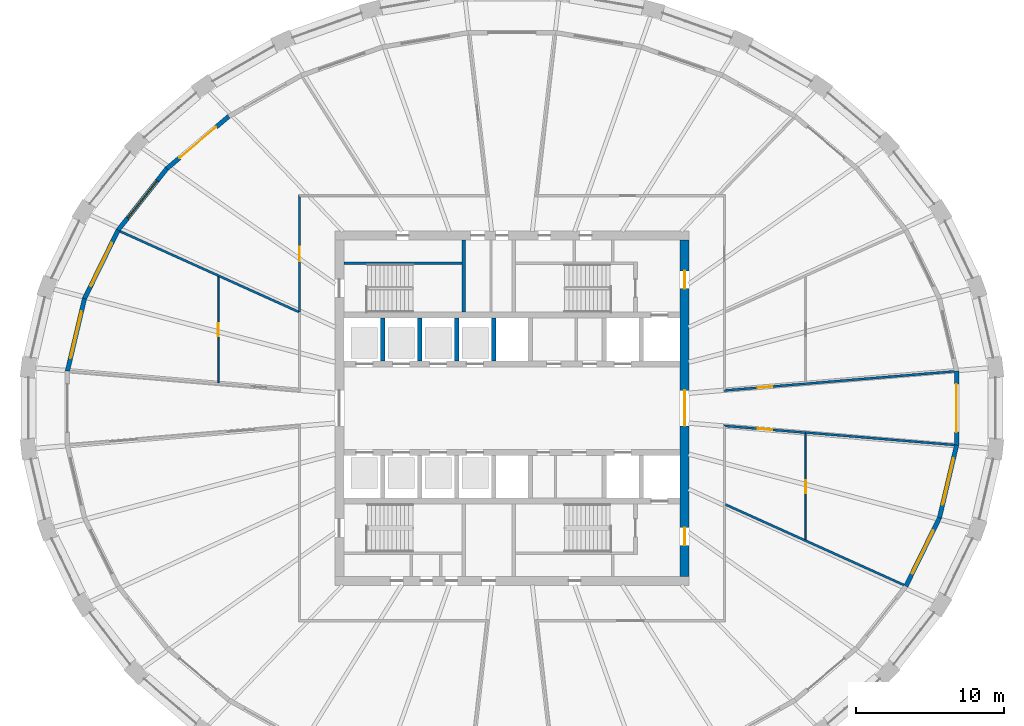
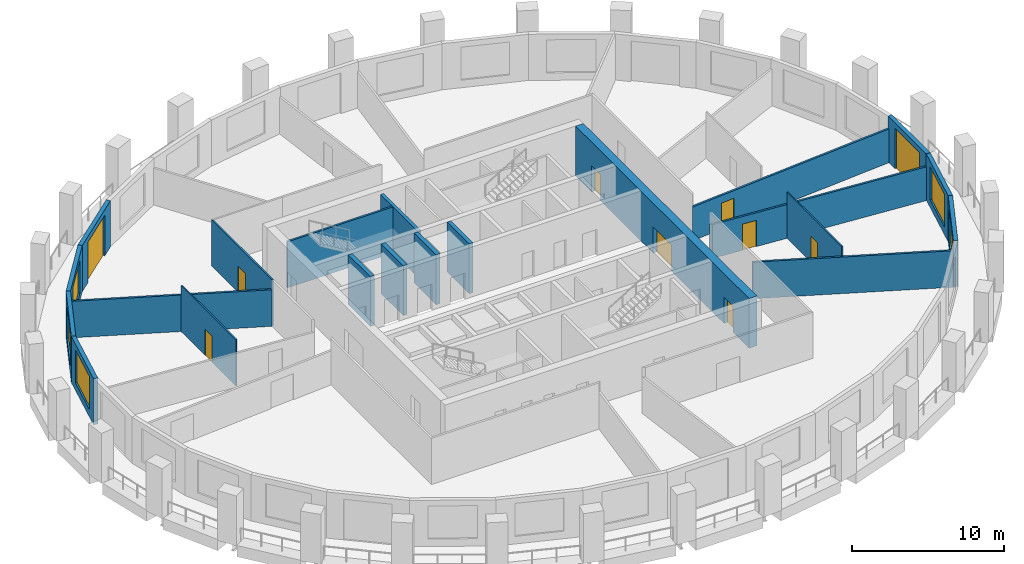
# One storey, part 5 of 10: 22 walls, 10 doors, 5 windows, 15 openings.
"""IFC4 building model written with IfcOpenShell, lengths in metres."""

from ifc_helpers import new_model, si_unit, direction, frame, frame_2d, origin, place, context, subcontext, project, spatial, polyline, rectangle, outline, extrude, material, layer, layer_set, type_object, element, fill, save


model = new_model("IFC4")

# Units and contexts
model_context = context("Model", 3, precision=1e-05, world=origin(), true_north=direction((0.0, 1.0)))
body_context = subcontext(model_context, "Body", "Model", "MODEL_VIEW")
ifc_project = project(units=[si_unit("LENGTHUNIT", "METRE"), si_unit("AREAUNIT", "SQUARE_METRE"), si_unit("VOLUMEUNIT", "CUBIC_METRE"), si_unit("PLANEANGLEUNIT", "RADIAN"), si_unit("MASSUNIT", "GRAM", prefix="KILO")], contexts=[model_context])

# Site, building, storey
site_placement = place(None, origin())
site = spatial("IfcSite", under=ifc_project, at=site_placement, CompositionType="ELEMENT")
building_placement = place(site_placement, origin())
building = spatial("IfcBuilding", under=site, at=building_placement, Name="Halqa Exchange Tower", CompositionType="ELEMENT")
storey_placement = place(building_placement, frame((0.0, 0.0, 178.89990234375)))
storey = spatial("IfcBuildingStorey", under=building, at=storey_placement, Name="L40", CompositionType="ELEMENT", Elevation=178.89990234375)

# Walls
ifc_material_1 = material(Name="Fire-rated gypsum board")
ifc_layer_1 = layer(ifc_material_1, 0.14990234375)
ifc_layer_set_1 = layer_set([ifc_layer_1], Name="Fire-rated gypsum board")
wall_type_1 = type_object("IfcWallType", Name="Fire partition EI 60 150", PredefinedType="PARTITIONING", material=ifc_layer_set_1)
wall_1_placement = place(storey_placement, frame((-26.56494140625, 11.986083984375, 0.0), z_axis=(0.0, 0.0, 1.0), x_axis=(0.911575557789, -0.411132584991, 0.0)))
element("IfcWall", 1, at=wall_1_placement, inside=storey, type_object=wall_type_1, Name="L40-PWL-002", PredefinedType="PARTITIONING", context=body_context, shape_type="SweptSolid", body=[
    extrude(outline(polyline([(0.0, -0.074951171875), (1.8486328125, -0.074951171875), (3.697509765625, -0.074951171875), (5.546142578125, -0.074951171875), (7.394775390625, -0.074951171875), (7.399169921875, -0.072998046875), (7.400146484375, -0.074951171875), (9.365478515625, -0.074951171875), (11.3310546875, -0.074951171875), (13.29638671875, -0.074951171875), (13.29638671875, -0.07470703125), (13.2763671875, -0.030517578125), (13.2900390625, -0.024169921875), (13.245361328125, 0.074951171875), (11.356201171875, 0.074951171875), (9.46728515625, 0.074951171875), (7.578125, 0.074951171875), (5.68896484375, 0.074951171875), (3.800048828125, 0.074951171875), (1.910888671875, 0.074951171875), (0.02197265625, 0.074951171875), (0.002197265625, -0.00341796875), (0.0, -0.070068359375), (0.0, -0.074951171875)])), origin(), (0.0, 0.0, 1.0), 2.93017578125),
])
wall_2_placement = place(storey_placement, frame((14.444091796875, -6.52001953125, 0.0), z_axis=(0.0, 0.0, 1.0), x_axis=(0.911592423636, -0.411095187479, 0.0)))
element("IfcWall", 2, at=wall_2_placement, inside=storey, type_object=wall_type_1, Name="L40-PWL-020", PredefinedType="PARTITIONING", context=body_context, shape_type="SweptSolid", body=[
    extrude(outline(polyline([(0.067626953125, -0.074951171875), (1.954345703125, -0.074951171875), (3.841064453125, -0.074951171875), (5.727783203125, -0.074951171875), (7.614501953125, -0.074951171875), (9.501220703125, -0.074951171875), (11.3876953125, -0.074951171875), (13.2744140625, -0.074951171875), (13.294189453125, 0.00341796875), (13.29638671875, 0.072021484375), (13.29638671875, 0.074951171875), (11.447509765625, 0.074951171875), (9.5986328125, 0.074951171875), (7.749755859375, 0.074951171875), (5.90087890625, 0.074951171875), (5.897216796875, 0.0732421875), (5.896484375, 0.074951171875), (3.930908203125, 0.074951171875), (1.965576171875, 0.074951171875), (0.0, 0.074951171875), (0.067626953125, -0.074951171875)])), origin(), (0.0, 0.0, 1.0), 2.93017578125),
])

# Wall, opening, door
wall_3_placement = place(storey_placement, frame((14.318603515625, -1.193115234375, 0.0), z_axis=(0.0, 0.0, 1.0), x_axis=(0.996519550004, -0.083359381354, 0.0)))
wall_3 = element("IfcWall", 3, at=wall_3_placement, inside=storey, type_object=wall_type_1, Name="L40-PWL-021", PredefinedType="PARTITIONING", context=body_context, shape_type="SweptSolid", body=[
    extrude(outline(polyline([(0.1630859375, -0.074951171875), (1.972900390625, -0.074951171875), (3.78271484375, -0.074951171875), (5.592529296875, -0.074951171875), (5.599853515625, -0.074462890625), (5.599853515625, 0.074951171875), (3.733154296875, 0.074951171875), (1.86669921875, 0.074951171875), (0.0, 0.074951171875), (0.081787109375, 0.0), (0.1630859375, -0.074951171875)])), origin(), (0.0, 0.0, 1.0), 2.710205078125),
])
opening_1_placement = place(wall_3_placement, frame((2.341064453125, 0.0, 0.0)))
opening_1 = element("IfcOpeningElement", 4, at=opening_1_placement, cuts=wall_3, Name="Opening 12-07", PredefinedType="OPENING", context=body_context, shape_type="SweptSolid", body=[
    extrude(rectangle(XDim=1.0, YDim=2.10009765625, at=frame_2d((0.5, 1.050048828125))), frame((0.0, 0.0869140625, 0.0), z_axis=(0.0, -1.0, 0.0), x_axis=(1.0, 0.0, 0.0)), (0.0, 0.0, 1.0), 0.173828125),
])
ifc_material_2 = material(Name="Steel fire door leaf", Category="steel")
door_type_1 = type_object("IfcDoorType", Name="Fire door FD30S 1000 x 2100", OperationType="SINGLE_SWING_LEFT", PredefinedType="DOOR", material=ifc_material_2)
door_1_placement = place(opening_1_placement, frame((1.0, 0.0, 0.0), z_axis=(0.0, 0.0, 1.0), x_axis=(-1.0, 0.0, 0.0)))
door_1 = element("IfcDoor", 5, at=door_1_placement, inside=storey, type_object=door_type_1, Name="L40-IDR-007", OperationType="SINGLE_SWING_LEFT", OverallHeight=2.10009765625, OverallWidth=1.0, PredefinedType="DOOR", context=body_context, shape_type="SweptSolid", body=[
    extrude(rectangle(XDim=1.0, YDim=2.10009765625, at=frame_2d((0.5, 1.050048828125))), frame((0.0, 0.02490234375, 0.0), z_axis=(0.0, -1.0, 0.0), x_axis=(1.0, 0.0, 0.0)), (0.0, 0.0, 1.0), 0.050048828125),
])
fill(opening_1, door_1)

wall_4_placement = place(storey_placement, frame((14.31884765625, 1.193115234375, 0.0), z_axis=(0.0, 0.0, 1.0), x_axis=(0.996561500002, 0.082856361942, 0.0)))
wall_4 = element("IfcWall", 6, at=wall_4_placement, inside=storey, type_object=wall_type_1, Name="L40-PWL-023", PredefinedType="PARTITIONING", context=body_context, shape_type="SweptSolid", body=[
    extrude(outline(polyline([(0.0, -0.074951171875), (1.963134765625, -0.074951171875), (3.92626953125, -0.074951171875), (5.889404296875, -0.074951171875), (7.8525390625, -0.074951171875), (9.815673828125, -0.074951171875), (11.77880859375, -0.074951171875), (13.741943359375, -0.074951171875), (15.705078125, -0.074951171875), (15.705078125, -0.074462890625), (15.705078125, 0.035888671875), (15.69921875, 0.074951171875), (13.757080078125, 0.074951171875), (11.815185546875, 0.074951171875), (9.873046875, 0.074951171875), (7.930908203125, 0.074951171875), (5.989013671875, 0.074951171875), (4.046875, 0.074951171875), (2.104736328125, 0.074951171875), (0.162841796875, 0.074951171875), (0.08154296875, 0.000244140625), (0.0, -0.07470703125), (0.0, -0.074951171875)])), origin(), (0.0, 0.0, 1.0), 2.710205078125),
])
opening_2_placement = place(wall_4_placement, frame((2.341064453125, 0.0, 0.0)))
opening_2 = element("IfcOpeningElement", 7, at=opening_2_placement, cuts=wall_4, Name="Opening 12-08", PredefinedType="OPENING", context=body_context, shape_type="SweptSolid", body=[
    extrude(rectangle(XDim=1.0, YDim=2.10009765625, at=frame_2d((0.5, 1.050048828125))), frame((0.0, 0.0869140625, 0.0), z_axis=(0.0, -1.0, 0.0), x_axis=(1.0, 0.0, 0.0)), (0.0, 0.0, 1.0), 0.173828125),
])
door_2_placement = place(opening_2_placement, origin())
door_2 = element("IfcDoor", 8, at=door_2_placement, inside=storey, type_object=door_type_1, Name="L40-IDR-008", OperationType="SINGLE_SWING_LEFT", OverallHeight=2.10009765625, OverallWidth=1.0, PredefinedType="DOOR", context=body_context, shape_type="SweptSolid", body=[
    extrude(rectangle(XDim=1.0, YDim=2.10009765625, at=frame_2d((0.5, 1.050048828125))), frame((0.0, 0.02490234375, 0.0), z_axis=(0.0, -1.0, 0.0), x_axis=(1.0, 0.0, 0.0)), (0.0, 0.0, 1.0), 0.050048828125),
])
fill(opening_2, door_2)

# Wall
wall_5_placement = place(storey_placement, frame((19.89990234375, -1.64990234375, 0.0), z_axis=(0.0, 0.0, 1.0), x_axis=(0.996505820255, -0.083523351209, 0.0)))
element("IfcWall", 9, at=wall_5_placement, inside=storey, type_object=wall_type_1, Name="L40-PWL-026", PredefinedType="PARTITIONING", context=body_context, shape_type="SweptSolid", body=[
    extrude(outline(polyline([(0.0, -0.074951171875), (1.683349609375, -0.074951171875), (3.366455078125, -0.074951171875), (5.0498046875, -0.074951171875), (6.733154296875, -0.074951171875), (8.41650390625, -0.074951171875), (10.099609375, -0.074951171875), (10.10498046875, -0.039306640625), (10.10498046875, 0.074951171875), (8.4208984375, 0.074951171875), (6.736572265625, 0.074951171875), (5.052490234375, 0.074951171875), (3.368408203125, 0.074951171875), (1.68408203125, 0.074951171875), (0.0, 0.074951171875), (0.0, -0.074951171875)])), origin(), (0.0, 0.0, 1.0), 2.710205078125),
])

# Wall, opening, door
ifc_material_3 = material(Name="Fire-rated glazing", Category="glass")
ifc_layer_2 = layer(ifc_material_3, 0.1201171875)
ifc_layer_set_2 = layer_set([ifc_layer_2], Name="Fire-rated glazing")
wall_type_2 = type_object("IfcWallType", Name="Glazed fire partition EI 60 120", PredefinedType="PARTITIONING", material=ifc_layer_set_2)
wall_6_placement = place(storey_placement, frame((-14.39990234375, 6.5, 0.0), z_axis=(0.0, 0.0, 1.0), x_axis=(0.0, 1.0, 0.0)))
wall_6 = element("IfcWall", 10, at=wall_6_placement, inside=storey, type_object=wall_type_2, Name="L40-PWL-007", PredefinedType="PARTITIONING", context=body_context, shape_type="SweptSolid", body=[
    extrude(outline(polyline([(0.0, -0.06005859375), (1.9599609375, -0.06005859375), (3.919921875, -0.06005859375), (5.8798828125, -0.06005859375), (7.83984375, -0.06005859375), (7.9599609375, 0.06005859375), (5.969970703125, 0.06005859375), (3.97998046875, 0.06005859375), (1.989990234375, 0.06005859375), (0.0, 0.06005859375), (0.0, -0.06005859375)])), origin(), (0.0, 0.0, 1.0), 3.7001953125),
])
opening_3_placement = place(wall_6_placement, frame((3.449951171875, 0.0, 0.0)))
opening_3 = element("IfcOpeningElement", 11, at=opening_3_placement, cuts=wall_6, Name="Opening 12-02", PredefinedType="OPENING", context=body_context, shape_type="SweptSolid", body=[
    extrude(rectangle(XDim=1.0, YDim=2.10009765625, at=frame_2d((0.5, 1.050048828125))), frame((0.0, 0.072021484375, 0.0), z_axis=(0.0, -1.0, 0.0), x_axis=(1.0, 0.0, 0.0)), (0.0, 0.0, 1.0), 0.14404296875),
])
door_3_placement = place(opening_3_placement, origin())
door_3 = element("IfcDoor", 12, at=door_3_placement, inside=storey, type_object=door_type_1, Name="L40-IDR-002", OperationType="SINGLE_SWING_RIGHT", OverallHeight=2.10009765625, OverallWidth=1.0, PredefinedType="DOOR", context=body_context, shape_type="SweptSolid", body=[
    extrude(rectangle(XDim=1.0, YDim=2.10009765625, at=frame_2d((0.5, 1.050048828125))), frame((0.0, 0.02490234375, 0.0), z_axis=(0.0, -1.0, 0.0), x_axis=(1.0, 0.0, 0.0)), (0.0, 0.0, 1.0), 0.050048828125),
])
fill(opening_3, door_3)

ifc_material_4 = material(Name="Gypsum board")
ifc_layer_3 = layer(ifc_material_4, 0.10009765625)
ifc_layer_set_3 = layer_set([ifc_layer_3], Name="Gypsum board")
wall_type_3 = type_object("IfcWallType", Name="Partition 100 gypsum", PredefinedType="PARTITIONING", material=ifc_layer_set_3)
wall_7_placement = place(storey_placement, frame((-19.89990234375, 1.728515625, 0.0), z_axis=(0.0, 0.0, 1.0), x_axis=(0.0, 1.0, 0.0)))
wall_7 = element("IfcWall", 13, at=wall_7_placement, inside=storey, type_object=wall_type_3, Name="L40-PWL-003", PredefinedType="PARTITIONING", context=body_context, shape_type="SweptSolid", body=[
    extrude(outline(polyline([(0.0, -0.050048828125), (1.78662109375, -0.050048828125), (3.5732421875, -0.050048828125), (5.35986328125, -0.050048828125), (7.146484375, -0.050048828125), (7.19140625, 0.04931640625), (7.19140625, 0.050048828125), (5.3955078125, 0.050048828125), (3.599853515625, 0.050048828125), (1.803955078125, 0.050048828125), (0.008056640625, 0.050048828125), (0.0, -0.0478515625), (0.0, -0.050048828125)])), origin(), (0.0, 0.0, 1.0), 3.7001953125),
])
opening_4_placement = place(wall_7_placement, frame((3.1416015625, 0.0, 0.0)))
opening_4 = element("IfcOpeningElement", 14, at=opening_4_placement, cuts=wall_7, Name="Opening 12-11", PredefinedType="OPENING", context=body_context, shape_type="SweptSolid", body=[
    extrude(rectangle(XDim=0.89990234375, YDim=2.10009765625, at=frame_2d((0.449951171875, 1.050048828125))), frame((0.0, 0.06201171875, 0.0), z_axis=(0.0, -1.0, 0.0), x_axis=(1.0, 0.0, 0.0)), (0.0, 0.0, 1.0), 0.1240234375),
])
ifc_material_5 = material(Name="Timber door leaf", Category="wood")
door_type_2 = type_object("IfcDoorType", Name="Door 900 x 2100", OperationType="SINGLE_SWING_LEFT", PredefinedType="DOOR", material=ifc_material_5)
door_4_placement = place(opening_4_placement, frame((0.89990234375, 0.0, 0.0), z_axis=(0.0, 0.0, 1.0), x_axis=(-1.0, 0.0, 0.0)))
door_4 = element("IfcDoor", 15, at=door_4_placement, inside=storey, type_object=door_type_2, Name="L40-IDR-011", OperationType="SINGLE_SWING_LEFT", OverallHeight=2.10009765625, OverallWidth=0.89990234375, PredefinedType="DOOR", context=body_context, shape_type="SweptSolid", body=[
    extrude(rectangle(XDim=0.89990234375, YDim=2.10009765625, at=frame_2d((0.449951171875, 1.050048828125))), frame((0.0, 0.02490234375, 0.0), z_axis=(0.0, -1.0, 0.0), x_axis=(1.0, 0.0, 0.0)), (0.0, 0.0, 1.0), 0.050048828125),
])
fill(opening_4, door_4)

wall_8_placement = place(storey_placement, frame((19.89990234375, -1.7294921875, 0.0), z_axis=(0.0, 0.0, 1.0), x_axis=(0.0, -1.0, 0.0)))
wall_8 = element("IfcWall", 16, at=wall_8_placement, inside=storey, type_object=wall_type_3, Name="L40-PWL-025", PredefinedType="PARTITIONING", context=body_context, shape_type="SweptSolid", body=[
    extrude(outline(polyline([(0.001708984375, -0.050048828125), (1.78759765625, -0.050048828125), (3.57373046875, -0.050048828125), (5.35986328125, -0.050048828125), (7.14599609375, -0.050048828125), (7.19091796875, 0.0498046875), (7.19091796875, 0.050048828125), (5.39306640625, 0.050048828125), (3.595458984375, 0.050048828125), (1.7978515625, 0.050048828125), (0.0, 0.050048828125), (0.0, -0.006591796875), (0.005126953125, -0.007080078125), (0.001708984375, -0.050048828125)])), origin(), (0.0, 0.0, 1.0), 3.7001953125),
])
opening_5_placement = place(wall_8_placement, frame((3.140380859375, 0.0, 0.0)))
opening_5 = element("IfcOpeningElement", 17, at=opening_5_placement, cuts=wall_8, Name="Opening 12-12", PredefinedType="OPENING", context=body_context, shape_type="SweptSolid", body=[
    extrude(rectangle(XDim=0.89990234375, YDim=2.10009765625, at=frame_2d((0.449951171875, 1.050048828125))), frame((0.0, 0.06201171875, 0.0), z_axis=(0.0, -1.0, 0.0), x_axis=(1.0, 0.0, 0.0)), (0.0, 0.0, 1.0), 0.1240234375),
])
door_5_placement = place(opening_5_placement, frame((0.89990234375, 0.0, 0.0), z_axis=(0.0, 0.0, 1.0), x_axis=(-1.0, 0.0, 0.0)))
door_5 = element("IfcDoor", 18, at=door_5_placement, inside=storey, type_object=door_type_2, Name="L40-IDR-012", OperationType="SINGLE_SWING_LEFT", OverallHeight=2.10009765625, OverallWidth=0.89990234375, PredefinedType="DOOR", context=body_context, shape_type="SweptSolid", body=[
    extrude(rectangle(XDim=0.89990234375, YDim=2.10009765625, at=frame_2d((0.449951171875, 1.050048828125))), frame((0.0, 0.02490234375, 0.0), z_axis=(0.0, -1.0, 0.0), x_axis=(1.0, 0.0, 0.0)), (0.0, 0.0, 1.0), 0.050048828125),
])
fill(opening_5, door_5)

# Walls
ifc_material_6 = material(Name="Concrete C60/75", Category="concrete")
ifc_layer_4 = layer(ifc_material_6, 0.300048828125)
ifc_layer_set_4 = layer_set([ifc_layer_4], Name="Concrete C60/75")
wall_type_4 = type_object("IfcWallType", Name="RC core wall 300", PredefinedType="SHEAR", material=ifc_layer_set_4)
for number, where, z_axis, x_axis, name in (
    (19, (-8.75, 3.199951171875, 0.0), (0.0, 0.0, 1.0), (0.0, 1.0, 0.0), "Shaft divider N1"),
    (20, (-6.25, 3.199951171875, 0.0), (0.0, 0.0, 1.0), (0.0, 1.0, 0.0), "Shaft divider N2"),
    (21, (-3.75, 3.199951171875, 0.0), (0.0, 0.0, 1.0), (0.0, 1.0, 0.0), "Shaft divider N3"),
    (22, (-1.25, 3.199951171875, 0.0), (0.0, 0.0, 1.0), (0.0, 1.0, 0.0), "Shaft divider N4"),
):
    element("IfcWall", number, at=place(storey_placement, frame(where, z_axis=z_axis, x_axis=x_axis)), inside=storey, type_object=wall_type_4, Name=name, PredefinedType="SHEAR", context=body_context, shape_type="SweptSolid", body=[
        extrude(rectangle(XDim=2.900146484375, YDim=0.300048828125, at=frame_2d((1.4501953125, 0.0))), origin(), (0.0, 0.0, 1.0), 4.0),
    ])

# Wall, openings, doors
ifc_material_7 = material(Name="Concrete C70/85", Category="concrete")
ifc_layer_5 = layer(ifc_material_7, 0.60009765625)
ifc_layer_set_5 = layer_set([ifc_layer_5], Name="Concrete C70/85")
wall_type_5 = type_object("IfcWallType", Name="RC core wall 600 C70/85", PredefinedType="SHEAR", material=ifc_layer_set_5)
wall_9_placement = place(storey_placement, frame((11.699951171875, -11.39990234375, 0.0), z_axis=(0.0, 0.0, 1.0), x_axis=(0.0, 1.0, 0.0)))
wall_9 = element("IfcWall", 23, at=wall_9_placement, inside=storey, type_object=wall_type_5, Name="Core wall east", PredefinedType="SHEAR", context=body_context, shape_type="SweptSolid", body=[
    extrude(rectangle(XDim=22.7998046875, YDim=0.60009765625, at=frame_2d((11.39990234375, 0.0))), origin(), (0.0, 0.0, 1.0), 4.0),
])
opening_6_placement = place(wall_9_placement, frame((10.199951171875, 0.0, 0.0)))
opening_6 = element("IfcOpeningElement", 24, at=opening_6_placement, cuts=wall_9, Name="Opening T12-C14", PredefinedType="OPENING", context=body_context, shape_type="SweptSolid", body=[
    extrude(rectangle(XDim=2.39990234375, YDim=2.10009765625, at=frame_2d((1.199951171875, 1.050048828125))), frame((0.0, 0.31201171875, 0.0), z_axis=(0.0, -1.0, 0.0), x_axis=(1.0, 0.0, 0.0)), (0.0, 0.0, 1.0), 0.6240234375),
])
opening_7_placement = place(wall_9_placement, frame((19.5, 0.0, 0.0)))
opening_7 = element("IfcOpeningElement", 25, at=opening_7_placement, cuts=wall_9, Name="Opening T12-C19", PredefinedType="OPENING", context=body_context, shape_type="SweptSolid", body=[
    extrude(rectangle(XDim=1.199951171875, YDim=2.10009765625, at=frame_2d((0.60009765625, 1.050048828125))), frame((0.0, 0.31201171875, 0.0), z_axis=(0.0, -1.0, 0.0), x_axis=(1.0, 0.0, 0.0)), (0.0, 0.0, 1.0), 0.6240234375),
])
opening_8_placement = place(wall_9_placement, frame((2.10009765625, 0.0, 0.0)))
opening_8 = element("IfcOpeningElement", 26, at=opening_8_placement, cuts=wall_9, Name="Opening T12-C20", PredefinedType="OPENING", context=body_context, shape_type="SweptSolid", body=[
    extrude(rectangle(XDim=1.199951171875, YDim=2.10009765625, at=frame_2d((0.60009765625, 1.050048828125))), frame((0.0, 0.31201171875, 0.0), z_axis=(0.0, -1.0, 0.0), x_axis=(1.0, 0.0, 0.0)), (0.0, 0.0, 1.0), 0.6240234375),
])
door_type_3 = type_object("IfcDoorType", Name="Firefighting lobby door FD90 1200 x 2100", OperationType="SINGLE_SWING_RIGHT", PredefinedType="DOOR", material=ifc_material_2)
door_6_placement = place(opening_7_placement, origin())
door_6 = element("IfcDoor", 27, at=door_6_placement, inside=storey, type_object=door_type_3, Name="Firefighting lobby door", OperationType="SINGLE_SWING_RIGHT", OverallHeight=2.10009765625, OverallWidth=1.199951171875, PredefinedType="DOOR", context=body_context, shape_type="SweptSolid", body=[
    extrude(rectangle(XDim=1.199951171875, YDim=2.10009765625, at=frame_2d((0.60009765625, 1.050048828125))), frame((0.0, 0.02490234375, 0.0), z_axis=(0.0, -1.0, 0.0), x_axis=(1.0, 0.0, 0.0)), (0.0, 0.0, 1.0), 0.050048828125),
])
fill(opening_7, door_6)
door_7_placement = place(opening_8_placement, origin())
door_7 = element("IfcDoor", 28, at=door_7_placement, inside=storey, type_object=door_type_3, Name="Firefighting lobby door", OperationType="SINGLE_SWING_LEFT", OverallHeight=2.10009765625, OverallWidth=1.199951171875, PredefinedType="DOOR", context=body_context, shape_type="SweptSolid", body=[
    extrude(rectangle(XDim=1.199951171875, YDim=2.10009765625, at=frame_2d((0.60009765625, 1.050048828125))), frame((0.0, 0.02490234375, 0.0), z_axis=(0.0, -1.0, 0.0), x_axis=(1.0, 0.0, 0.0)), (0.0, 0.0, 1.0), 0.050048828125),
])
fill(opening_8, door_7)
door_type_4 = type_object("IfcDoorType", Name="Lobby double door FD60 2400 x 2100", OperationType="DOUBLE_DOOR_SINGLE_SWING", PredefinedType="DOOR", material=ifc_material_2)
door_8_placement = place(opening_6_placement, origin())
door_8 = element("IfcDoor", 29, at=door_8_placement, inside=storey, type_object=door_type_4, Name="Lift lobby double door", OperationType="DOUBLE_DOOR_SINGLE_SWING", OverallHeight=2.10009765625, OverallWidth=2.39990234375, PredefinedType="DOOR", context=body_context, shape_type="SweptSolid", body=[
    extrude(rectangle(XDim=2.39990234375, YDim=2.10009765625, at=frame_2d((1.199951171875, 1.050048828125))), frame((0.0, 0.02490234375, 0.0), z_axis=(0.0, -1.0, 0.0), x_axis=(1.0, 0.0, 0.0)), (0.0, 0.0, 1.0), 0.050048828125),
])
fill(opening_6, door_8)

# Walls
ifc_material_8 = material(Name="Concrete C30/37", Category="concrete")
ifc_layer_6 = layer(ifc_material_8, 0.14990234375)
ifc_layer_set_6 = layer_set([ifc_layer_6], Name="Concrete C30/37")
wall_type_6 = type_object("IfcWallType", Name="RC stair wall 150 C30/37", PredefinedType="SHEAR", material=ifc_layer_set_6)
wall_10_placement = place(storey_placement, frame((-11.39990234375, 9.824951171875, 0.0), z_axis=(0.0, 0.0, 1.0), x_axis=(1.0, 0.0, 0.0)))
element("IfcWall", 30, at=wall_10_placement, inside=storey, type_object=wall_type_6, Name="Stair ST1 north wall N", PredefinedType="SHEAR", context=body_context, shape_type="SweptSolid", body=[
    extrude(rectangle(XDim=8.0, YDim=0.14990234375, at=frame_2d((4.0, 0.0))), origin(), (0.0, 0.0, 1.0), 3.7001953125),
])
ifc_layer_7 = layer(ifc_material_8, 0.25)
ifc_layer_set_7 = layer_set([ifc_layer_7], Name="Concrete C30/37")
wall_type_7 = type_object("IfcWallType", Name="RC stair wall 250 C30/37", PredefinedType="SHEAR", material=ifc_layer_set_7)
wall_11_placement = place(storey_placement, frame((-3.27490234375, 6.5, 0.0), z_axis=(0.0, 0.0, 1.0), x_axis=(0.0, 1.0, 0.0)))
element("IfcWall", 31, at=wall_11_placement, inside=storey, type_object=wall_type_7, Name="Stair ST1 east wall N", PredefinedType="SHEAR", context=body_context, shape_type="SweptSolid", body=[
    extrude(rectangle(XDim=4.89990234375, YDim=0.25, at=frame_2d((2.449951171875, 0.0))), origin(), (0.0, 0.0, 1.0), 3.7001953125),
])

# Wall, opening, door
ifc_material_9 = material(Name="Limestone cladding", Category="masonry")
ifc_layer_8 = layer(ifc_material_9, 0.0400390625)
ifc_material_10 = material(Name="Ventilated cavity")
ifc_layer_9 = layer(ifc_material_10, 0.030029296875, ventilated=True)
ifc_material_11 = material(Name="Mineral wool insulation")
ifc_layer_10 = layer(ifc_material_11, 0.10009765625)
ifc_layer_11 = layer(ifc_material_8, 0.10009765625)
ifc_material_12 = material(Name="Internal plaster")
ifc_layer_12 = layer(ifc_material_12, 0.030029296875)
ifc_layer_set_8 = layer_set([ifc_layer_8, ifc_layer_9, ifc_layer_10, ifc_layer_11, ifc_layer_12], Name="Stone-faced insulated wall 300")
wall_type_8 = type_object("IfcWallType", Name="Stone-faced insulated wall 300", PredefinedType="STANDARD", material=ifc_layer_set_8)
wall_12_placement = place(storey_placement, frame((-19.194580078125, 19.772216796875, 0.0), z_axis=(0.0, 0.0, 1.0), x_axis=(-0.764238764041, -0.64493341636, 0.0)))
wall_12 = element("IfcWall", 32, at=wall_12_placement, inside=storey, type_object=wall_type_8, Name="Glass-line wall 12", PredefinedType="STANDARD", context=body_context, shape_type="SweptSolid", body=[
    extrude(outline(polyline([(-0.01416015625, -0.14990234375), (5.507568359375, -0.14990234375), (5.477294921875, 0.14990234375), (0.01416015625, 0.14990234375), (-0.01416015625, -0.14990234375)])), origin(), (0.0, 0.0, 1.0), 3.7001953125),
])
opening_9_placement = place(wall_12_placement, frame((1.12109375, 0.0, 0.0)))
opening_9 = element("IfcOpeningElement", 33, at=opening_9_placement, cuts=wall_12, Name="Opening LG-F3-03", PredefinedType="OPENING", context=body_context, shape_type="SweptSolid", body=[
    extrude(rectangle(XDim=3.25, YDim=3.25, at=frame_2d((1.625, 1.625))), frame((0.0, 0.162109375, 0.0), z_axis=(0.0, -1.0, 0.0), x_axis=(1.0, 0.0, 0.0)), (0.0, 0.0, 1.0), 0.323974609375),
])
ifc_material_13 = material(Name="Clear low-emissivity glass in aluminium frame", Category="aluminium")
door_type_5 = type_object("IfcDoorType", Name="Glazed sliding loggia door 3250 x 3250", OperationType="DOUBLE_DOOR_SLIDING", PredefinedType="DOOR", material=ifc_material_13)
door_9_placement = place(opening_9_placement, origin())
door_9 = element("IfcDoor", 34, at=door_9_placement, inside=storey, type_object=door_type_5, Name="Loggia door 3", OperationType="DOUBLE_DOOR_SLIDING", OverallHeight=3.25, OverallWidth=3.25, PredefinedType="DOOR", context=body_context, shape_type="SweptSolid", body=[
    extrude(rectangle(XDim=3.25, YDim=3.25, at=frame_2d((1.625, 1.625))), frame((0.0, 0.02490234375, 0.0), z_axis=(0.0, -1.0, 0.0), x_axis=(1.0, 0.0, 0.0)), (0.0, 0.0, 1.0), 0.050048828125),
])
fill(opening_9, door_9)

# Wall, opening, window
wall_13_placement = place(storey_placement, frame((-23.39208984375, 16.22998046875, 0.0), z_axis=(0.0, 0.0, 1.0), x_axis=(-0.620766467446, -0.78399553117, 0.0)))
wall_13 = element("IfcWall", 35, at=wall_13_placement, inside=storey, type_object=wall_type_8, Name="Glass-line wall 13", PredefinedType="STANDARD", context=body_context, shape_type="SweptSolid", body=[
    extrude(outline(polyline([(-0.01513671875, -0.14990234375), (5.331787109375, -0.14990234375), (5.299560546875, 0.14990234375), (0.01513671875, 0.14990234375), (-0.01513671875, -0.14990234375)])), origin(), (0.0, 0.0, 1.0), 3.7001953125),
])
opening_10_placement = place(wall_13_placement, frame((1.032958984375, 0.0, 0.60009765625)))
opening_10 = element("IfcOpeningElement", 36, at=opening_10_placement, cuts=wall_13, Name="Opening W-F3-13", PredefinedType="OPENING", context=body_context, shape_type="SweptSolid", body=[
    extrude(rectangle(XDim=3.25, YDim=2.64990234375, at=frame_2d((1.625, 1.324951171875))), frame((0.0, 0.162109375, 0.0), z_axis=(0.0, -1.0, 0.0), x_axis=(1.0, 0.0, 0.0)), (0.0, 0.0, 1.0), 0.323974609375),
])
window_type = type_object("IfcWindowType", Name="Fixed clear glazed window 3250 x 2650", PartitioningType="TRIPLE_PANEL_VERTICAL", PredefinedType="WINDOW", material=ifc_material_13)
window_1_placement = place(opening_10_placement, origin())
window_1 = element("IfcWindow", 37, at=window_1_placement, inside=storey, type_object=window_type, Name="Window 3", OverallHeight=2.64990234375, OverallWidth=3.25, PartitioningType="TRIPLE_PANEL_VERTICAL", PredefinedType="WINDOW", context=body_context, shape_type="SweptSolid", body=[
    extrude(rectangle(XDim=3.25, YDim=2.64990234375, at=frame_2d((1.625, 1.324951171875))), frame((0.0, 0.030029296875, 0.0), z_axis=(0.0, -1.0, 0.0), x_axis=(1.0, 0.0, 0.0)), (0.0, 0.0, 1.0), 0.06005859375),
])
fill(opening_10, window_1)

wall_14_placement = place(storey_placement, frame((-26.69189453125, 12.0625, 0.0), z_axis=(0.0, 0.0, 1.0), x_axis=(-0.440673883676, -0.897667270343, 0.0)))
wall_14 = element("IfcWall", 38, at=wall_14_placement, inside=storey, type_object=wall_type_8, Name="Glass-line wall 14", PredefinedType="STANDARD", context=body_context, shape_type="SweptSolid", body=[
    extrude(outline(polyline([(-0.01611328125, -0.14990234375), (5.177978515625, -0.14990234375), (5.144287109375, 0.14990234375), (0.01611328125, 0.14990234375), (-0.01611328125, -0.14990234375)])), origin(), (0.0, 0.0, 1.0), 3.7001953125),
])
opening_11_placement = place(wall_14_placement, frame((0.95556640625, 0.0, 0.60009765625)))
opening_11 = element("IfcOpeningElement", 39, at=opening_11_placement, cuts=wall_14, Name="Opening W-F3-14", PredefinedType="OPENING", context=body_context, shape_type="SweptSolid", body=[
    extrude(rectangle(XDim=3.25, YDim=2.64990234375, at=frame_2d((1.625, 1.324951171875))), frame((0.0, 0.162109375, 0.0), z_axis=(0.0, -1.0, 0.0), x_axis=(1.0, 0.0, 0.0)), (0.0, 0.0, 1.0), 0.323974609375),
])
window_2_placement = place(opening_11_placement, origin())
window_2 = element("IfcWindow", 40, at=window_2_placement, inside=storey, type_object=window_type, Name="Window 3", OverallHeight=2.64990234375, OverallWidth=3.25, PartitioningType="TRIPLE_PANEL_VERTICAL", PredefinedType="WINDOW", context=body_context, shape_type="SweptSolid", body=[
    extrude(rectangle(XDim=3.25, YDim=2.64990234375, at=frame_2d((1.625, 1.324951171875))), frame((0.0, 0.030029296875, 0.0), z_axis=(0.0, -1.0, 0.0), x_axis=(1.0, 0.0, 0.0)), (0.0, 0.0, 1.0), 0.06005859375),
])
fill(opening_11, window_2)

wall_15_placement = place(storey_placement, frame((-28.96630859375, 7.429443359375, 0.0), z_axis=(0.0, 0.0, 1.0), x_axis=(-0.229434992017, -0.973323987395, 0.0)))
wall_15 = element("IfcWall", 41, at=wall_15_placement, inside=storey, type_object=wall_type_8, Name="Glass-line wall 15", PredefinedType="STANDARD", context=body_context, shape_type="SweptSolid", body=[
    extrude(outline(polyline([(-0.016845703125, -0.14990234375), (5.07275390625, -0.14990234375), (5.0380859375, 0.14990234375), (0.016845703125, 0.14990234375), (-0.016845703125, -0.14990234375)])), origin(), (0.0, 0.0, 1.0), 3.7001953125),
])
opening_12_placement = place(wall_15_placement, frame((0.902587890625, 0.0, 0.60009765625)))
opening_12 = element("IfcOpeningElement", 42, at=opening_12_placement, cuts=wall_15, Name="Opening W-F3-15", PredefinedType="OPENING", context=body_context, shape_type="SweptSolid", body=[
    extrude(rectangle(XDim=3.25, YDim=2.64990234375, at=frame_2d((1.625, 1.324951171875))), frame((0.0, 0.162109375, 0.0), z_axis=(0.0, -1.0, 0.0), x_axis=(1.0, 0.0, 0.0)), (0.0, 0.0, 1.0), 0.323974609375),
])
window_3_placement = place(opening_12_placement, origin())
window_3 = element("IfcWindow", 43, at=window_3_placement, inside=storey, type_object=window_type, Name="Window 3", OverallHeight=2.64990234375, OverallWidth=3.25, PartitioningType="TRIPLE_PANEL_VERTICAL", PredefinedType="WINDOW", context=body_context, shape_type="SweptSolid", body=[
    extrude(rectangle(XDim=3.25, YDim=2.64990234375, at=frame_2d((1.625, 1.324951171875))), frame((0.0, 0.030029296875, 0.0), z_axis=(0.0, -1.0, 0.0), x_axis=(1.0, 0.0, 0.0)), (0.0, 0.0, 1.0), 0.06005859375),
])
fill(opening_12, window_3)

wall_16_placement = place(storey_placement, frame((26.69189453125, -12.0625, 0.0), z_axis=(0.0, 0.0, 1.0), x_axis=(0.440673883676, 0.897667270343, 0.0)))
wall_16 = element("IfcWall", 44, at=wall_16_placement, inside=storey, type_object=wall_type_8, Name="Glass-line wall 30", PredefinedType="STANDARD", context=body_context, shape_type="SweptSolid", body=[
    extrude(outline(polyline([(-0.01611328125, -0.14990234375), (5.177978515625, -0.14990234375), (5.144287109375, 0.14990234375), (0.01611328125, 0.14990234375), (-0.01611328125, -0.14990234375)])), origin(), (0.0, 0.0, 1.0), 3.7001953125),
])
opening_13_placement = place(wall_16_placement, frame((0.95556640625, 0.0, 0.60009765625)))
opening_13 = element("IfcOpeningElement", 45, at=opening_13_placement, cuts=wall_16, Name="Opening W-F3-30", PredefinedType="OPENING", context=body_context, shape_type="SweptSolid", body=[
    extrude(rectangle(XDim=3.25, YDim=2.64990234375, at=frame_2d((1.625, 1.324951171875))), frame((0.0, 0.162109375, 0.0), z_axis=(0.0, -1.0, 0.0), x_axis=(1.0, 0.0, 0.0)), (0.0, 0.0, 1.0), 0.323974609375),
])
window_4_placement = place(opening_13_placement, origin())
window_4 = element("IfcWindow", 46, at=window_4_placement, inside=storey, type_object=window_type, Name="Window 3", OverallHeight=2.64990234375, OverallWidth=3.25, PartitioningType="TRIPLE_PANEL_VERTICAL", PredefinedType="WINDOW", context=body_context, shape_type="SweptSolid", body=[
    extrude(rectangle(XDim=3.25, YDim=2.64990234375, at=frame_2d((1.625, 1.324951171875))), frame((0.0, 0.030029296875, 0.0), z_axis=(0.0, -1.0, 0.0), x_axis=(1.0, 0.0, 0.0)), (0.0, 0.0, 1.0), 0.06005859375),
])
fill(opening_13, window_4)

wall_17_placement = place(storey_placement, frame((28.96630859375, -7.429443359375, 0.0), z_axis=(0.0, 0.0, 1.0), x_axis=(0.229434992017, 0.973323987395, 0.0)))
wall_17 = element("IfcWall", 47, at=wall_17_placement, inside=storey, type_object=wall_type_8, Name="Glass-line wall 31", PredefinedType="STANDARD", context=body_context, shape_type="SweptSolid", body=[
    extrude(outline(polyline([(-0.016845703125, -0.14990234375), (5.07275390625, -0.14990234375), (5.0380859375, 0.14990234375), (0.016845703125, 0.14990234375), (-0.016845703125, -0.14990234375)])), origin(), (0.0, 0.0, 1.0), 3.7001953125),
])
opening_14_placement = place(wall_17_placement, frame((0.902587890625, 0.0, 0.60009765625)))
opening_14 = element("IfcOpeningElement", 48, at=opening_14_placement, cuts=wall_17, Name="Opening W-F3-31", PredefinedType="OPENING", context=body_context, shape_type="SweptSolid", body=[
    extrude(rectangle(XDim=3.25, YDim=2.64990234375, at=frame_2d((1.625, 1.324951171875))), frame((0.0, 0.162109375, 0.0), z_axis=(0.0, -1.0, 0.0), x_axis=(1.0, 0.0, 0.0)), (0.0, 0.0, 1.0), 0.323974609375),
])
window_5_placement = place(opening_14_placement, origin())
window_5 = element("IfcWindow", 49, at=window_5_placement, inside=storey, type_object=window_type, Name="Window 3", OverallHeight=2.64990234375, OverallWidth=3.25, PartitioningType="TRIPLE_PANEL_VERTICAL", PredefinedType="WINDOW", context=body_context, shape_type="SweptSolid", body=[
    extrude(rectangle(XDim=3.25, YDim=2.64990234375, at=frame_2d((1.625, 1.324951171875))), frame((0.0, 0.030029296875, 0.0), z_axis=(0.0, -1.0, 0.0), x_axis=(1.0, 0.0, 0.0)), (0.0, 0.0, 1.0), 0.06005859375),
])
fill(opening_14, window_5)

# Wall, opening, door
wall_18_placement = place(storey_placement, frame((30.126220703125, -2.5087890625, 0.0), z_axis=(0.0, 0.0, 1.0), x_axis=(0.0, 1.0, 0.0)))
wall_18 = element("IfcWall", 50, at=wall_18_placement, inside=storey, type_object=wall_type_8, Name="Glass-line wall 32", PredefinedType="STANDARD", context=body_context, shape_type="SweptSolid", body=[
    extrude(outline(polyline([(-0.017333984375, -0.14990234375), (5.034912109375, -0.14990234375), (5.000244140625, 0.14990234375), (0.017333984375, 0.14990234375), (-0.017333984375, -0.14990234375)])), origin(), (0.0, 0.0, 1.0), 3.7001953125),
])
opening_15_placement = place(wall_18_placement, frame((0.8837890625, 0.0, 0.0)))
opening_15 = element("IfcOpeningElement", 51, at=opening_15_placement, cuts=wall_18, Name="Opening LG-F3-08", PredefinedType="OPENING", context=body_context, shape_type="SweptSolid", body=[
    extrude(rectangle(XDim=3.25, YDim=3.25, at=frame_2d((1.625, 1.625))), frame((0.0, 0.162109375, 0.0), z_axis=(0.0, -1.0, 0.0), x_axis=(1.0, 0.0, 0.0)), (0.0, 0.0, 1.0), 0.323974609375),
])
door_10_placement = place(opening_15_placement, origin())
door_10 = element("IfcDoor", 52, at=door_10_placement, inside=storey, type_object=door_type_5, Name="Loggia door 8", OperationType="DOUBLE_DOOR_SLIDING", OverallHeight=3.25, OverallWidth=3.25, PredefinedType="DOOR", context=body_context, shape_type="SweptSolid", body=[
    extrude(rectangle(XDim=3.25, YDim=3.25, at=frame_2d((1.625, 1.625))), frame((0.0, 0.02490234375, 0.0), z_axis=(0.0, -1.0, 0.0), x_axis=(1.0, 0.0, 0.0)), (0.0, 0.0, 1.0), 0.050048828125),
])
fill(opening_15, door_10)

save(model, "model.ifc")
